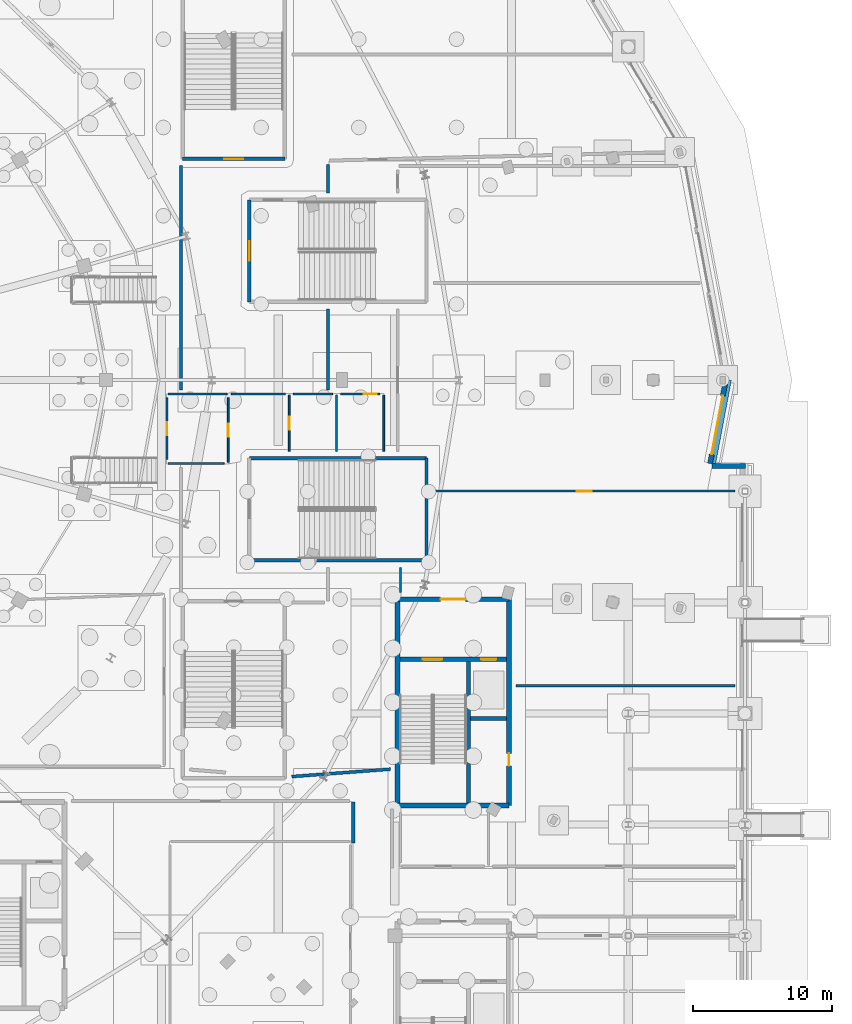
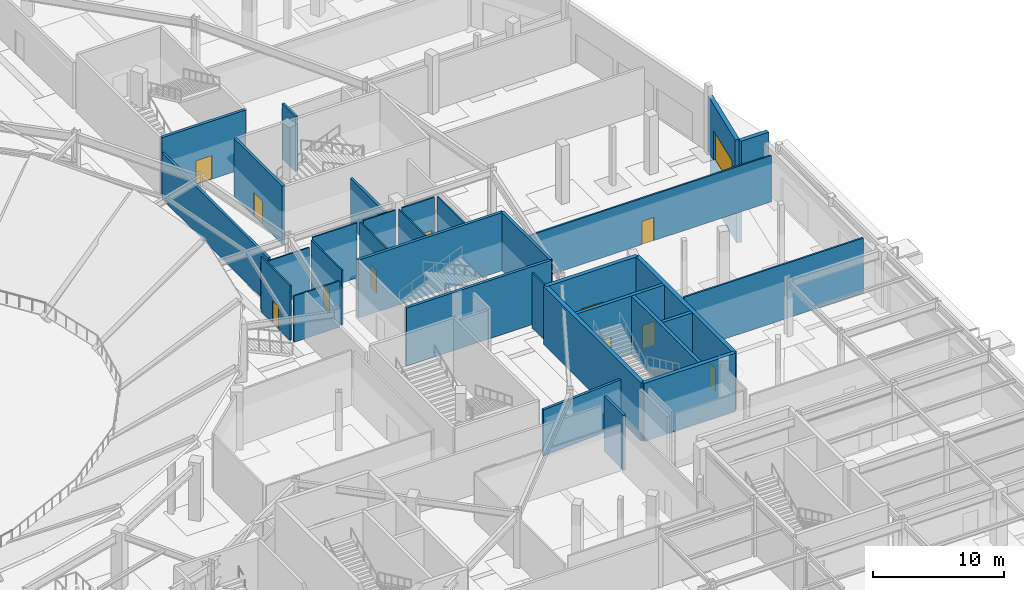
# One storey, part 62 of 93: 33 walls, 12 doors, 12 openings.
"""IFC4 building model written with IfcOpenShell, lengths in metres."""

from ifc_helpers import new_model, si_unit, direction, frame, frame_2d, origin, place, context, subcontext, project, spatial, rectangle, extrude, material, layer, layer_set, type_object, element, fill, save


model = new_model("IFC4")

# Units and contexts
model_context = context("Model", 3, precision=1e-05, world=origin(), true_north=direction((0.0, 1.0)))
body_context = subcontext(model_context, "Body", "Model", "MODEL_VIEW")
ifc_project = project(units=[si_unit("LENGTHUNIT", "METRE"), si_unit("AREAUNIT", "SQUARE_METRE"), si_unit("VOLUMEUNIT", "CUBIC_METRE"), si_unit("PLANEANGLEUNIT", "RADIAN"), si_unit("MASSUNIT", "GRAM", prefix="KILO")], contexts=[model_context])

# Site, building, storey
site_placement = place(None, origin())
site = spatial("IfcSite", under=ifc_project, at=site_placement, CompositionType="ELEMENT")
building_placement = place(site_placement, origin())
building = spatial("IfcBuilding", under=site, at=building_placement, Name="Kalgoora Escarpment Arena", CompositionType="ELEMENT")
storey_placement = place(building_placement, origin())
storey = spatial("IfcBuildingStorey", under=building, at=storey_placement, Name="L00", CompositionType="ELEMENT", Elevation=0.0)

# Walls
ifc_material_1 = material(Name="Impact-resistant athlete corridor partition", Category="gypsum")
ifc_layer_1 = layer(ifc_material_1, 0.155029296875)
ifc_layer_set_1 = layer_set([ifc_layer_1], Name="WAL-BOH-155")
wall_type_1 = type_object("IfcWallType", Name="WAL-BOH-155", PredefinedType="PARTITIONING", material=ifc_layer_set_1)
wall_1_placement = place(storey_placement, frame((168.324951171875, 42.0, 0.0), z_axis=(0.0, 0.0, 1.0), x_axis=(1.0, 0.0, 0.0)))
element("IfcWall", 1, at=wall_1_placement, inside=storey, type_object=wall_type_1, Name="L00 Strength Conditioning Gym 2 partition wall", PredefinedType="PARTITIONING", context=body_context, shape_type="SweptSolid", body=[
    extrude(rectangle(XDim=15.76513671875, YDim=0.155029296875, at=frame_2d((7.882568359375, 0.0))), origin(), (0.0, 0.0, 1.0), 5.1201171875),
])
ifc_material_2 = material(Name="Concrete N50 (fc' 50 MPa)", Category="concrete")
ifc_layer_2 = layer(ifc_material_2, 0.35009765625)
ifc_layer_set_2 = layer_set([ifc_layer_2], Name="WAL-CORE-350")
wall_type_2 = type_object("IfcWallType", Name="WAL-CORE-350", PredefinedType="SHEAR", material=ifc_layer_set_2)
wall_2_placement = place(storey_placement, frame((159.77490234375, 33.375, 0.0), z_axis=(0.0, 0.0, 1.0), x_axis=(1.0, 0.0, 0.0)))
element("IfcWall", 2, at=wall_2_placement, inside=storey, type_object=wall_type_2, Name="Core C7 L00 south shear wall", PredefinedType="SHEAR", context=body_context, shape_type="SweptSolid", body=[
    extrude(rectangle(XDim=8.050048828125, YDim=0.35009765625, at=frame_2d((4.02490234375, 0.0))), origin(), (0.0, 0.0, 1.0), 5.39990234375),
])

# Wall, opening, door
wall_3_placement = place(storey_placement, frame((159.77490234375, 48.22509765625, 0.0), z_axis=(0.0, 0.0, 1.0), x_axis=(1.0, 0.0, 0.0)))
wall_3 = element("IfcWall", 3, at=wall_3_placement, inside=storey, type_object=wall_type_2, Name="Core C7 L00 north lobby wall", PredefinedType="SHEAR", context=body_context, shape_type="SweptSolid", body=[
    extrude(rectangle(XDim=8.050048828125, YDim=0.35009765625, at=frame_2d((4.02490234375, 0.0))), origin(), (0.0, 0.0, 1.0), 5.39990234375),
])
opening_1_placement = place(wall_3_placement, frame((3.125, 0.0, 0.0)))
opening_1 = element("IfcOpeningElement", 4, at=opening_1_placement, cuts=wall_3, Name="Opening FD-C7L", PredefinedType="OPENING", context=body_context, shape_type="SweptSolid", body=[
    extrude(rectangle(XDim=1.800048828125, YDim=2.25, at=frame_2d((0.89990234375, 1.125))), frame((0.0, 0.18505859375, 0.0), z_axis=(0.0, -1.0, 0.0), x_axis=(1.0, 0.0, 0.0)), (0.0, 0.0, 1.0), 0.3701171875),
])
ifc_material_3 = material(Name="Double fire-rated smoke-seal lobby door")
door_type_1 = type_object("IfcDoorType", Name="DR-LOBBY-1800", OperationType="NOTDEFINED", PredefinedType="DOOR", material=ifc_material_3)
door_1_placement = place(opening_1_placement, origin())
door_1 = element("IfcDoor", 5, at=door_1_placement, inside=storey, type_object=door_type_1, Name="Core C7 L00 smoke-lobby fire door", OperationType="DOUBLE_DOOR_SINGLE_SWING", OverallHeight=2.25, OverallWidth=1.800048828125, PredefinedType="DOOR", context=body_context, shape_type="SweptSolid", body=[
    extrude(rectangle(XDim=1.800048828125, YDim=2.25, at=frame_2d((0.89990234375, 1.125))), frame((0.0, 0.02490234375, 0.0), z_axis=(0.0, -1.0, 0.0), x_axis=(1.0, 0.0, 0.0)), (0.0, 0.0, 1.0), 0.050048828125),
])
fill(opening_1, door_1)

# Wall
wall_4_placement = place(storey_placement, frame((159.77490234375, 33.375, 0.0), z_axis=(0.0, 0.0, 1.0), x_axis=(0.0, 1.0, 0.0)))
element("IfcWall", 6, at=wall_4_placement, inside=storey, type_object=wall_type_2, Name="Core C7 L00 west shear wall", PredefinedType="SHEAR", context=body_context, shape_type="SweptSolid", body=[
    extrude(rectangle(XDim=14.85009765625, YDim=0.35009765625, at=frame_2d((7.425048828125, 0.0))), origin(), (0.0, 0.0, 1.0), 5.39990234375),
])

# Wall, opening, door
wall_5_placement = place(storey_placement, frame((167.824951171875, 33.375, 0.0), z_axis=(0.0, 0.0, 1.0), x_axis=(0.0, 1.0, 0.0)))
wall_5 = element("IfcWall", 7, at=wall_5_placement, inside=storey, type_object=wall_type_2, Name="Core C7 L00 east shear wall", PredefinedType="SHEAR", context=body_context, shape_type="SweptSolid", body=[
    extrude(rectangle(XDim=14.85009765625, YDim=0.35009765625, at=frame_2d((7.425048828125, 0.0))), origin(), (0.0, 0.0, 1.0), 5.39990234375),
])
opening_2_placement = place(wall_5_placement, frame((2.85498046875, 0.0, 0.0)))
opening_2 = element("IfcOpeningElement", 8, at=opening_2_placement, cuts=wall_5, Name="Opening FD-C7R", PredefinedType="OPENING", context=body_context, shape_type="SweptSolid", body=[
    extrude(rectangle(XDim=0.89990234375, YDim=2.10009765625, at=frame_2d((0.449951171875, 1.050048828125))), frame((0.0, 0.18505859375, 0.0), z_axis=(0.0, -1.0, 0.0), x_axis=(1.0, 0.0, 0.0)), (0.0, 0.0, 1.0), 0.3701171875),
])
ifc_material_4 = material(Name="Fire-rated steel riser access door", Category="steel")
door_type_2 = type_object("IfcDoorType", Name="DR-RISER-0900", OperationType="NOTDEFINED", PredefinedType="DOOR", material=ifc_material_4)
door_2_placement = place(opening_2_placement, origin())
door_2 = element("IfcDoor", 9, at=door_2_placement, inside=storey, type_object=door_type_2, Name="Core C7 L00 riser cupboard access door", OperationType="SINGLE_SWING_RIGHT", OverallHeight=2.10009765625, OverallWidth=0.89990234375, PredefinedType="DOOR", context=body_context, shape_type="SweptSolid", body=[
    extrude(rectangle(XDim=0.89990234375, YDim=2.10009765625, at=frame_2d((0.449951171875, 1.050048828125))), frame((0.0, 0.02490234375, 0.0), z_axis=(0.0, -1.0, 0.0), x_axis=(1.0, 0.0, 0.0)), (0.0, 0.0, 1.0), 0.050048828125),
])
fill(opening_2, door_2)

ifc_material_5 = material(Name="Cream limestone-faced precast concrete 40 MPa", Category="masonry")
ifc_layer_3 = layer(ifc_material_5, 0.360107421875)
ifc_layer_set_3 = layer_set([ifc_layer_3], Name="WAL-EXT-360")
wall_type_3 = type_object("IfcWallType", Name="WAL-EXT-360", PredefinedType="SOLIDWALL", material=ifc_layer_set_3)
wall_6_placement = place(storey_placement, frame((183.43115234375, 64.07568359375, 0.0), z_axis=(0.0, 0.0, 1.0), x_axis=(-0.184964598757, -0.98274518427, 0.0)))
wall_6 = element("IfcWall", 10, at=wall_6_placement, inside=storey, type_object=wall_type_3, Name="L00 limestone-faced external wall 023", PredefinedType="SOLIDWALL", context=body_context, shape_type="SweptSolid", body=[
    extrude(rectangle(XDim=6.19189453125, YDim=0.360107421875, at=frame_2d((3.095947265625, 0.0))), origin(), (0.0, 0.0, 1.0), 5.159912109375),
])
opening_3_placement = place(wall_6_placement, frame((1.219970703125, 0.0, 0.0)))
opening_3 = element("IfcOpeningElement", 11, at=opening_3_placement, cuts=wall_6, Name="Opening G46", PredefinedType="OPENING", context=body_context, shape_type="SweptSolid", body=[
    extrude(rectangle(XDim=4.300048828125, YDim=2.75, at=frame_2d((2.14990234375, 1.375))), frame((0.0, 0.18994140625, 0.0), z_axis=(0.0, -1.0, 0.0), x_axis=(1.0, 0.0, 0.0)), (0.0, 0.0, 1.0), 0.380126953125),
])
ifc_material_6 = material(Name="Champagne anodised aluminium acoustic egress leaf", Category="aluminium")
door_type_3 = type_object("IfcDoorType", Name="DR-EGEXIT-2800", OperationType="NOTDEFINED", PredefinedType="DOOR", material=ifc_material_6)
door_3_placement = place(opening_3_placement, origin())
door_3 = element("IfcDoor", 12, at=door_3_placement, inside=storey, type_object=door_type_3, Name="Final pedestrian exit door G46", OperationType="DOUBLE_DOOR_SINGLE_SWING", OverallHeight=2.75, OverallWidth=4.300048828125, PredefinedType="DOOR", context=body_context, shape_type="SweptSolid", body=[
    extrude(rectangle(XDim=4.300048828125, YDim=2.75, at=frame_2d((2.14990234375, 1.375))), frame((0.0, 0.02490234375, 0.0), z_axis=(0.0, -1.0, 0.0), x_axis=(1.0, 0.0, 0.0)), (0.0, 0.0, 1.0), 0.050048828125),
])
fill(opening_3, door_3)

# Walls
wall_7_placement = place(storey_placement, frame((182.427490234375, 57.820068359375, 0.0), z_axis=(0.0, 0.0, 1.0), x_axis=(1.0, 0.0, 0.0)))
element("IfcWall", 13, at=wall_7_placement, inside=storey, type_object=wall_type_3, Name="L00 limestone-faced external wall 024", PredefinedType="SOLIDWALL", context=body_context, shape_type="SweptSolid", body=[
    extrude(rectangle(XDim=2.415771484375, YDim=0.360107421875, at=frame_2d((1.2080078125, 0.0))), origin(), (0.0, 0.0, 1.0), 5.159912109375),
])
ifc_material_7 = material(Name="Autoclaved aerated blockwork Concrete N40 (fc' 40 MPa)", Category="masonry")
ifc_layer_4 = layer(ifc_material_7, 0.219970703125)
ifc_layer_set_4 = layer_set([ifc_layer_4], Name="WAL-FIRE-220")
wall_type_4 = type_object("IfcWallType", Name="WAL-FIRE-220", PredefinedType="SOLIDWALL", material=ifc_layer_set_4)
wall_8_placement = place(storey_placement, frame((144.199951171875, 63.300048828125, 0.0), z_axis=(0.0, 0.0, 1.0), x_axis=(0.0, 1.0, 0.0)))
element("IfcWall", 14, at=wall_8_placement, inside=storey, type_object=wall_type_4, Name="L00 North-East Protected Exit Passageway partition wall", PredefinedType="SOLIDWALL", context=body_context, shape_type="SweptSolid", body=[
    extrude(rectangle(XDim=16.14404296875, YDim=0.219970703125, at=frame_2d((8.072021484375, 0.0))), origin(), (0.0, 0.0, 1.0), 4.294921875),
])
wall_9_placement = place(storey_placement, frame((154.800048828125, 79.51708984375, 0.0), z_axis=(0.0, 0.0, 1.0), x_axis=(0.0, -1.0, 0.0)))
element("IfcWall", 15, at=wall_9_placement, inside=storey, type_object=wall_type_4, Name="L00 North-East Protected Exit Passageway partition wall", PredefinedType="SOLIDWALL", context=body_context, shape_type="SweptSolid", body=[
    extrude(rectangle(XDim=2.0419921875, YDim=0.219970703125, at=frame_2d((1.02099609375, 0.0))), origin(), (0.0, 0.0, 1.0), 5.1201171875),
])
wall_10_placement = place(storey_placement, frame((154.800048828125, 69.125, 0.0), z_axis=(0.0, 0.0, 1.0), x_axis=(0.0, -1.0, 0.0)))
element("IfcWall", 16, at=wall_10_placement, inside=storey, type_object=wall_type_4, Name="L00 North-East Protected Exit Passageway partition wall", PredefinedType="SOLIDWALL", context=body_context, shape_type="SweptSolid", body=[
    extrude(rectangle(XDim=5.824951171875, YDim=0.219970703125, at=frame_2d((2.91259765625, 0.0))), origin(), (0.0, 0.0, 1.0), 4.48291015625),
])
wall_11_placement = place(storey_placement, frame((156.60009765625, 30.686279296875, 0.0), z_axis=(0.0, 0.0, 1.0), x_axis=(0.0, 1.0, 0.0)))
element("IfcWall", 17, at=wall_11_placement, inside=storey, type_object=wall_type_4, Name="L00 East Protected Exit Passageway partition wall", PredefinedType="SOLIDWALL", context=body_context, shape_type="SweptSolid", body=[
    extrude(rectangle(XDim=2.933837890625, YDim=0.219970703125, at=frame_2d((1.466796875, 0.0))), origin(), (0.0, 0.0, 1.0), 5.1201171875),
])
wall_12_placement = place(storey_placement, frame((152.1748046875, 35.456787109375, 0.0), z_axis=(0.0, 0.0, 1.0), x_axis=(0.997187086026, 0.074952754876, 0.0)))
element("IfcWall", 18, at=wall_12_placement, inside=storey, type_object=wall_type_4, Name="L00 East Protected Exit Passageway partition wall", PredefinedType="SOLIDWALL", context=body_context, shape_type="SweptSolid", body=[
    extrude(rectangle(XDim=7.120361328125, YDim=0.219970703125, at=frame_2d((3.56005859375, 0.0))), origin(), (0.0, 0.0, 1.0), 4.294921875),
])
ifc_material_8 = material(Name="Concrete N40 (fc' 40 MPa)", Category="concrete")
ifc_layer_5 = layer(ifc_material_8, 0.43994140625)
ifc_layer_set_5 = layer_set([ifc_layer_5], Name="WAL-RET-440")
wall_type_5 = type_object("IfcWallType", Name="WAL-RET-440", PredefinedType="USERDEFINED", material=ifc_layer_set_5)
wall_13_placement = place(storey_placement, frame((183.60009765625, 64.0, -4.5), z_axis=(0.0, 0.0, 1.0), x_axis=(-0.184983824946, -0.982741565473, 0.0)))
element("IfcWall", 19, at=wall_13_placement, inside=storey, type_object=wall_type_5, Name="Escarpment stepped limestone plinth retaining wall 21", ObjectType="RETAININGWALL", PredefinedType="USERDEFINED", context=body_context, shape_type="SweptSolid", body=[
    extrude(rectangle(XDim=6.10546875, YDim=0.43994140625, at=frame_2d((3.052734375, 0.0))), origin(), (0.0, 0.0, 1.0), 4.5),
])
ifc_material_9 = material(Name="Insulated steel-stud acoustic partition", Category="steel")
ifc_layer_6 = layer(ifc_material_9, 0.14501953125)
ifc_layer_set_6 = layer_set([ifc_layer_6], Name="WAL-ROOM-145")
wall_type_6 = type_object("IfcWallType", Name="WAL-ROOM-145", PredefinedType="PARTITIONING", material=ifc_layer_set_6)
wall_14_placement = place(storey_placement, frame((160.0, 48.72509765625, 0.0), z_axis=(0.0, 0.0, 1.0), x_axis=(0.0, 1.0, 0.0)))
element("IfcWall", 20, at=wall_14_placement, inside=storey, type_object=wall_type_6, Name="L00 Sports Physiotherapy Suite partition wall", PredefinedType="PARTITIONING", context=body_context, shape_type="SweptSolid", body=[
    extrude(rectangle(XDim=1.7998046875, YDim=0.14501953125, at=frame_2d((0.89990234375, 0.0))), origin(), (0.0, 0.0, 1.0), 5.1201171875),
])

# Wall, opening, door
wall_15_placement = place(storey_placement, frame((162.375, 56.0, 0.0), z_axis=(0.0, 0.0, 1.0), x_axis=(1.0, 0.0, 0.0)))
wall_15 = element("IfcWall", 21, at=wall_15_placement, inside=storey, type_object=wall_type_6, Name="L00 Sports Physiotherapy Suite partition wall", PredefinedType="PARTITIONING", context=body_context, shape_type="SweptSolid", body=[
    extrude(rectangle(XDim=21.715087890625, YDim=0.14501953125, at=frame_2d((10.857421875, 0.0))), origin(), (0.0, 0.0, 1.0), 4.294921875),
])
opening_4_placement = place(wall_15_placement, frame((10.3173828125, 0.0, 0.0)))
opening_4 = element("IfcOpeningElement", 22, at=opening_4_placement, cuts=wall_15, Name="Opening FD-I017", PredefinedType="OPENING", context=body_context, shape_type="SweptSolid", body=[
    extrude(rectangle(XDim=1.080078125, YDim=2.14990234375, at=frame_2d((0.5400390625, 1.074951171875))), frame((0.0, 0.08251953125, 0.0), z_axis=(0.0, -1.0, 0.0), x_axis=(1.0, 0.0, 0.0)), (0.0, 0.0, 1.0), 0.1650390625),
])
ifc_material_10 = material(Name="Solid-core acoustic timber door", Category="wood")
door_type_4 = type_object("IfcDoorType", Name="DR-GEN-1080", OperationType="NOTDEFINED", PredefinedType="DOOR", material=ifc_material_10)
door_4_placement = place(opening_4_placement, origin())
door_4 = element("IfcDoor", 23, at=door_4_placement, inside=storey, type_object=door_type_4, Name="Sports Physiotherapy Suite entrance door", OperationType="SINGLE_SWING_RIGHT", OverallHeight=2.14990234375, OverallWidth=1.080078125, PredefinedType="DOOR", context=body_context, shape_type="SweptSolid", body=[
    extrude(rectangle(XDim=1.080078125, YDim=2.14990234375, at=frame_2d((0.5400390625, 1.074951171875))), frame((0.0, 0.02490234375, 0.0), z_axis=(0.0, -1.0, 0.0), x_axis=(1.0, 0.0, 0.0)), (0.0, 0.0, 1.0), 0.050048828125),
])
fill(opening_4, door_4)

# Wall, openings, doors
ifc_material_11 = material(Name="Concrete N50 (fc' 50 MPa)", Category="concrete")
ifc_layer_7 = layer(ifc_material_11, 0.300048828125)
ifc_layer_set_7 = layer_set([ifc_layer_7], Name="WAL-SHAFT-300")
wall_type_7 = type_object("IfcWallType", Name="WAL-SHAFT-300", PredefinedType="SHEAR", material=ifc_layer_set_7)
wall_16_placement = place(storey_placement, frame((159.949951171875, 43.89990234375, 0.0), z_axis=(0.0, 0.0, 1.0), x_axis=(1.0, 0.0, 0.0)))
wall_16 = element("IfcWall", 24, at=wall_16_placement, inside=storey, type_object=wall_type_7, Name="Core C7 L00 lobby shaft wall", PredefinedType="SHEAR", context=body_context, shape_type="SweptSolid", body=[
    extrude(rectangle(XDim=7.699951171875, YDim=0.300048828125, at=frame_2d((3.85009765625, 0.0))), origin(), (0.0, 0.0, 1.0), 5.39990234375),
])
opening_5_placement = place(wall_16_placement, frame((1.64990234375, 0.0, 0.0)))
opening_5 = element("IfcOpeningElement", 25, at=opening_5_placement, cuts=wall_16, Name="Opening FD-ST07", PredefinedType="OPENING", context=body_context, shape_type="SweptSolid", body=[
    extrude(rectangle(XDim=1.39990234375, YDim=2.199951171875, at=frame_2d((0.699951171875, 1.10009765625))), frame((0.0, 0.159912109375, 0.0), z_axis=(0.0, -1.0, 0.0), x_axis=(1.0, 0.0, 0.0)), (0.0, 0.0, 1.0), 0.320068359375),
])
opening_6_placement = place(wall_16_placement, frame((5.85009765625, 0.0, 0.0)))
opening_6 = element("IfcOpeningElement", 26, at=opening_6_placement, cuts=wall_16, Name="Opening LD-GL1", PredefinedType="OPENING", context=body_context, shape_type="SweptSolid", body=[
    extrude(rectangle(XDim=1.10009765625, YDim=2.199951171875, at=frame_2d((0.550048828125, 1.10009765625))), frame((0.0, 0.159912109375, 0.0), z_axis=(0.0, -1.0, 0.0), x_axis=(1.0, 0.0, 0.0)), (0.0, 0.0, 1.0), 0.320068359375),
])
ifc_material_12 = material(Name="Brushed stainless steel sliding lift landing door", Category="steel")
door_type_5 = type_object("IfcDoorType", Name="DR-LD-GL1", OperationType="SLIDING_TO_LEFT", PredefinedType="DOOR", material=ifc_material_12)
door_5_placement = place(opening_6_placement, origin())
door_5 = element("IfcDoor", 27, at=door_5_placement, inside=storey, type_object=door_type_5, Name="Lift GL1 L00 sliding landing door", OperationType="SLIDING_TO_LEFT", OverallHeight=2.199951171875, OverallWidth=1.10009765625, PredefinedType="DOOR", context=body_context, shape_type="SweptSolid", body=[
    extrude(rectangle(XDim=1.10009765625, YDim=2.199951171875, at=frame_2d((0.550048828125, 1.10009765625))), frame((0.0, 0.02490234375, 0.0), z_axis=(0.0, -1.0, 0.0), x_axis=(1.0, 0.0, 0.0)), (0.0, 0.0, 1.0), 0.050048828125),
])
fill(opening_6, door_5)
ifc_material_13 = material(Name="Fire-rated steel stair leaf with vision panel", Category="steel")
door_type_6 = type_object("IfcDoorType", Name="DR-STAIR-1400", OperationType="NOTDEFINED", PredefinedType="DOOR", material=ifc_material_13)
door_6_placement = place(opening_5_placement, origin())
door_6 = element("IfcDoor", 28, at=door_6_placement, inside=storey, type_object=door_type_6, Name="Fire stair ST07 L00 fire door", OperationType="SINGLE_SWING_LEFT", OverallHeight=2.199951171875, OverallWidth=1.39990234375, PredefinedType="DOOR", context=body_context, shape_type="SweptSolid", body=[
    extrude(rectangle(XDim=1.39990234375, YDim=2.199951171875, at=frame_2d((0.699951171875, 1.10009765625))), frame((0.0, 0.02490234375, 0.0), z_axis=(0.0, -1.0, 0.0), x_axis=(1.0, 0.0, 0.0)), (0.0, 0.0, 1.0), 0.050048828125),
])
fill(opening_5, door_6)

# Walls
wall_17_placement = place(storey_placement, frame((164.89990234375, 33.550048828125, 0.0), z_axis=(0.0, 0.0, 1.0), x_axis=(0.0, 1.0, 0.0)))
element("IfcWall", 29, at=wall_17_placement, inside=storey, type_object=wall_type_7, Name="Core C7 L00 stair-lift spine wall", PredefinedType="SHEAR", context=body_context, shape_type="SweptSolid", body=[
    extrude(rectangle(XDim=10.349853515625, YDim=0.300048828125, at=frame_2d((5.1748046875, 0.0))), origin(), (0.0, 0.0, 1.0), 5.39990234375),
])
wall_18_placement = place(storey_placement, frame((165.050048828125, 39.64990234375, 0.0), z_axis=(0.0, 0.0, 1.0), x_axis=(1.0, 0.0, 0.0)))
element("IfcWall", 30, at=wall_18_placement, inside=storey, type_object=wall_type_7, Name="Core C7 L00 lift-riser divider wall", PredefinedType="SHEAR", context=body_context, shape_type="SweptSolid", body=[
    extrude(rectangle(XDim=2.599853515625, YDim=0.300048828125, at=frame_2d((1.2998046875, 0.0))), origin(), (0.0, 0.0, 1.0), 5.39990234375),
])

# Wall, opening, door
ifc_material_14 = material(Name="Concrete N50 (fc' 50 MPa)", Category="concrete")
ifc_layer_8 = layer(ifc_material_14, 0.25)
ifc_layer_set_8 = layer_set([ifc_layer_8], Name="WAL-STAIR-250")
wall_type_8 = type_object("IfcWallType", Name="WAL-STAIR-250", PredefinedType="SHEAR", material=ifc_layer_set_8)
wall_19_placement = place(storey_placement, frame((149.125, 69.625, 0.0), z_axis=(0.0, 0.0, 1.0), x_axis=(0.0, 1.0, 0.0)))
wall_19 = element("IfcWall", 31, at=wall_19_placement, inside=storey, type_object=wall_type_8, Name="Exit stair ST21 L00 west wall", PredefinedType="SHEAR", context=body_context, shape_type="SweptSolid", body=[
    extrude(rectangle(XDim=7.35009765625, YDim=0.25, at=frame_2d((3.675048828125, 0.0))), origin(), (0.0, 0.0, 1.0), 5.39990234375),
])
opening_7_placement = place(wall_19_placement, frame((2.97509765625, 0.0, 0.0)))
opening_7 = element("IfcOpeningElement", 32, at=opening_7_placement, cuts=wall_19, Name="Opening FD-ST21", PredefinedType="OPENING", context=body_context, shape_type="SweptSolid", body=[
    extrude(rectangle(XDim=1.39990234375, YDim=2.199951171875, at=frame_2d((0.699951171875, 1.10009765625))), frame((0.0, 0.135009765625, 0.0), z_axis=(0.0, -1.0, 0.0), x_axis=(1.0, 0.0, 0.0)), (0.0, 0.0, 1.0), 0.27001953125),
])
door_7_placement = place(opening_7_placement, origin())
door_7 = element("IfcDoor", 33, at=door_7_placement, inside=storey, type_object=door_type_6, Name="Fire-isolated stair ST21 L00 egress door", OperationType="SINGLE_SWING_RIGHT", OverallHeight=2.199951171875, OverallWidth=1.39990234375, PredefinedType="DOOR", context=body_context, shape_type="SweptSolid", body=[
    extrude(rectangle(XDim=1.39990234375, YDim=2.199951171875, at=frame_2d((0.699951171875, 1.10009765625))), frame((0.0, 0.02490234375, 0.0), z_axis=(0.0, -1.0, 0.0), x_axis=(1.0, 0.0, 0.0)), (0.0, 0.0, 1.0), 0.050048828125),
])
fill(opening_7, door_7)

# Walls
for number, where, z_axis, x_axis, name in (
    (34, (149.125, 51.02490234375, 0.0), (0.0, 0.0, 1.0), (1.0, 0.0, 0.0), "Exit stair ST22 L00 south wall"),
    (35, (149.125, 58.375, 0.0), (0.0, 0.0, 1.0), (1.0, 0.0, 0.0), "Exit stair ST22 L00 north wall"),
):
    element("IfcWall", number, at=place(storey_placement, frame(where, z_axis=z_axis, x_axis=x_axis)), inside=storey, type_object=wall_type_8, Name=name, PredefinedType="SHEAR", context=body_context, shape_type="SweptSolid", body=[
        extrude(rectangle(XDim=12.75, YDim=0.25, at=frame_2d((6.375, 0.0))), origin(), (0.0, 0.0, 1.0), 5.39990234375),
    ])
wall_20_placement = place(storey_placement, frame((161.875, 51.02490234375, 0.0), z_axis=(0.0, 0.0, 1.0), x_axis=(0.0, 1.0, 0.0)))
element("IfcWall", 36, at=wall_20_placement, inside=storey, type_object=wall_type_8, Name="Exit stair ST22 L00 east wall", PredefinedType="SHEAR", context=body_context, shape_type="SweptSolid", body=[
    extrude(rectangle(XDim=7.35009765625, YDim=0.25, at=frame_2d((3.675048828125, 0.0))), origin(), (0.0, 0.0, 1.0), 5.39990234375),
])

# Wall, opening, door
wall_21_placement = place(storey_placement, frame((144.324951171875, 79.925048828125, 0.0), z_axis=(0.0, 0.0, 1.0), x_axis=(1.0, 0.0, 0.0)))
wall_21 = element("IfcWall", 37, at=wall_21_placement, inside=storey, type_object=wall_type_8, Name="Exit stair ST23 L00 south wall", PredefinedType="SHEAR", context=body_context, shape_type="SweptSolid", body=[
    extrude(rectangle(XDim=7.35009765625, YDim=0.25, at=frame_2d((3.675048828125, 0.0))), origin(), (0.0, 0.0, 1.0), 5.39990234375),
])
opening_8_placement = place(wall_21_placement, frame((2.97509765625, 0.0, 0.0)))
opening_8 = element("IfcOpeningElement", 38, at=opening_8_placement, cuts=wall_21, Name="Opening FD-ST23", PredefinedType="OPENING", context=body_context, shape_type="SweptSolid", body=[
    extrude(rectangle(XDim=1.39990234375, YDim=2.199951171875, at=frame_2d((0.699951171875, 1.10009765625))), frame((0.0, 0.135009765625, 0.0), z_axis=(0.0, -1.0, 0.0), x_axis=(1.0, 0.0, 0.0)), (0.0, 0.0, 1.0), 0.27001953125),
])
door_8_placement = place(opening_8_placement, origin())
door_8 = element("IfcDoor", 39, at=door_8_placement, inside=storey, type_object=door_type_6, Name="Fire-isolated stair ST23 L00 egress door", OperationType="SINGLE_SWING_LEFT", OverallHeight=2.199951171875, OverallWidth=1.39990234375, PredefinedType="DOOR", context=body_context, shape_type="SweptSolid", body=[
    extrude(rectangle(XDim=1.39990234375, YDim=2.199951171875, at=frame_2d((0.699951171875, 1.10009765625))), frame((0.0, 0.02490234375, 0.0), z_axis=(0.0, -1.0, 0.0), x_axis=(1.0, 0.0, 0.0)), (0.0, 0.0, 1.0), 0.050048828125),
])
fill(opening_8, door_8)

# Wall
ifc_material_15 = material(Name="Moisture-resistant wet-area partition", Category="gypsum")
ifc_layer_9 = layer(ifc_material_15, 0.125)
ifc_layer_set_9 = layer_set([ifc_layer_9], Name="WAL-WC-125")
wall_type_9 = type_object("IfcWallType", Name="WAL-WC-125", PredefinedType="PARTITIONING", material=ifc_layer_set_9)
wall_22_placement = place(storey_placement, frame((143.280029296875, 63.0, 0.0), z_axis=(0.0, 0.0, 1.0), x_axis=(1.0, 0.0, 0.0)))
element("IfcWall", 40, at=wall_22_placement, inside=storey, type_object=wall_type_9, Name="L00 Male WC 2 partition wall", PredefinedType="PARTITIONING", context=body_context, shape_type="SweptSolid", body=[
    extrude(rectangle(XDim=4.239990234375, YDim=0.125, at=frame_2d((2.1201171875, 0.0))), origin(), (0.0, 0.0, 1.0), 4.294921875),
])

# Wall, opening, door
wall_23_placement = place(storey_placement, frame((147.60009765625, 62.715087890625, 0.0), z_axis=(0.0, 0.0, 1.0), x_axis=(0.0, -1.0, 0.0)))
wall_23 = element("IfcWall", 41, at=wall_23_placement, inside=storey, type_object=wall_type_9, Name="L00 Male WC 2 partition wall", PredefinedType="PARTITIONING", context=body_context, shape_type="SweptSolid", body=[
    extrude(rectangle(XDim=4.635009765625, YDim=0.125, at=frame_2d((2.3173828125, 0.0))), origin(), (0.0, 0.0, 1.0), 5.1201171875),
])
opening_9_placement = place(wall_23_placement, frame((1.857666015625, 0.0, 0.0)))
opening_9 = element("IfcOpeningElement", 42, at=opening_9_placement, cuts=wall_23, Name="Opening D-I006", PredefinedType="OPENING", context=body_context, shape_type="SweptSolid", body=[
    extrude(rectangle(XDim=0.919921875, YDim=2.10009765625, at=frame_2d((0.4599609375, 1.050048828125))), frame((0.0, 0.072509765625, 0.0), z_axis=(0.0, -1.0, 0.0), x_axis=(1.0, 0.0, 0.0)), (0.0, 0.0, 1.0), 0.14501953125),
])
ifc_material_16 = material(Name="Moisture-resistant laminate WC door")
door_type_7 = type_object("IfcDoorType", Name="DR-WC-0920", OperationType="NOTDEFINED", PredefinedType="DOOR", material=ifc_material_16)
door_9_placement = place(opening_9_placement, origin())
door_9 = element("IfcDoor", 43, at=door_9_placement, inside=storey, type_object=door_type_7, Name="Female WC 2 entrance door", OperationType="SINGLE_SWING_LEFT", OverallHeight=2.10009765625, OverallWidth=0.919921875, PredefinedType="DOOR", context=body_context, shape_type="SweptSolid", body=[
    extrude(rectangle(XDim=0.919921875, YDim=2.10009765625, at=frame_2d((0.4599609375, 1.050048828125))), frame((0.0, 0.02490234375, 0.0), z_axis=(0.0, -1.0, 0.0), x_axis=(1.0, 0.0, 0.0)), (0.0, 0.0, 1.0), 0.050048828125),
])
fill(opening_9, door_9)

# Wall
wall_24_placement = place(storey_placement, frame((147.315185546875, 58.0, 0.0), z_axis=(0.0, 0.0, 1.0), x_axis=(-1.0, 0.0, 0.0)))
element("IfcWall", 44, at=wall_24_placement, inside=storey, type_object=wall_type_9, Name="L00 Male WC 2 partition wall", PredefinedType="PARTITIONING", context=body_context, shape_type="SweptSolid", body=[
    extrude(rectangle(XDim=4.03515625, YDim=0.125, at=frame_2d((2.017578125, 0.0))), origin(), (0.0, 0.0, 1.0), 4.294921875),
])

# Wall, opening, door
wall_25_placement = place(storey_placement, frame((143.199951171875, 58.284912109375, 0.0), z_axis=(0.0, 0.0, 1.0), x_axis=(0.0, 1.0, 0.0)))
wall_25 = element("IfcWall", 45, at=wall_25_placement, inside=storey, type_object=wall_type_9, Name="L00 Male WC 2 partition wall", PredefinedType="PARTITIONING", context=body_context, shape_type="SweptSolid", body=[
    extrude(rectangle(XDim=4.43017578125, YDim=0.125, at=frame_2d((2.215087890625, 0.0))), origin(), (0.0, 0.0, 1.0), 5.1201171875),
])
opening_10_placement = place(wall_25_placement, frame((1.740234375, 0.0, 0.0)))
opening_10 = element("IfcOpeningElement", 46, at=opening_10_placement, cuts=wall_25, Name="Opening D-I005", PredefinedType="OPENING", context=body_context, shape_type="SweptSolid", body=[
    extrude(rectangle(XDim=0.949951171875, YDim=2.10009765625, at=frame_2d((0.47509765625, 1.050048828125))), frame((0.0, 0.072509765625, 0.0), z_axis=(0.0, -1.0, 0.0), x_axis=(1.0, 0.0, 0.0)), (0.0, 0.0, 1.0), 0.14501953125),
])
ifc_material_17 = material(Name="Moisture-resistant laminate accessible WC door")
door_type_8 = type_object("IfcDoorType", Name="DR-WC-0950", OperationType="NOTDEFINED", PredefinedType="DOOR", material=ifc_material_17)
door_10_placement = place(opening_10_placement, origin())
door_10 = element("IfcDoor", 47, at=door_10_placement, inside=storey, type_object=door_type_8, Name="Male WC 2 entrance door", OperationType="SINGLE_SWING_RIGHT", OverallHeight=2.10009765625, OverallWidth=0.949951171875, PredefinedType="DOOR", context=body_context, shape_type="SweptSolid", body=[
    extrude(rectangle(XDim=0.949951171875, YDim=2.10009765625, at=frame_2d((0.47509765625, 1.050048828125))), frame((0.0, 0.02490234375, 0.0), z_axis=(0.0, -1.0, 0.0), x_axis=(1.0, 0.0, 0.0)), (0.0, 0.0, 1.0), 0.050048828125),
])
fill(opening_10, door_10)

wall_26_placement = place(storey_placement, frame((152.0, 62.919921875, 0.0), z_axis=(0.0, 0.0, 1.0), x_axis=(0.0, -1.0, 0.0)))
wall_26 = element("IfcWall", 48, at=wall_26_placement, inside=storey, type_object=wall_type_9, Name="L00 Female WC 2 partition wall", PredefinedType="PARTITIONING", context=body_context, shape_type="SweptSolid", body=[
    extrude(rectangle(XDim=4.044921875, YDim=0.125, at=frame_2d((2.0224609375, 0.0))), origin(), (0.0, 0.0, 1.0), 5.1201171875),
])
opening_11_placement = place(wall_26_placement, frame((1.547607421875, 0.0, 0.0)))
opening_11 = element("IfcOpeningElement", 49, at=opening_11_placement, cuts=wall_26, Name="Opening D-I007", PredefinedType="OPENING", context=body_context, shape_type="SweptSolid", body=[
    extrude(rectangle(XDim=0.949951171875, YDim=2.10009765625, at=frame_2d((0.47509765625, 1.050048828125))), frame((0.0, 0.072509765625, 0.0), z_axis=(0.0, -1.0, 0.0), x_axis=(1.0, 0.0, 0.0)), (0.0, 0.0, 1.0), 0.14501953125),
])
door_11_placement = place(opening_11_placement, origin())
door_11 = element("IfcDoor", 50, at=door_11_placement, inside=storey, type_object=door_type_8, Name="Accessible WC 2 entrance door", OperationType="SINGLE_SWING_RIGHT", OverallHeight=2.10009765625, OverallWidth=0.949951171875, PredefinedType="DOOR", context=body_context, shape_type="SweptSolid", body=[
    extrude(rectangle(XDim=0.949951171875, YDim=2.10009765625, at=frame_2d((0.47509765625, 1.050048828125))), frame((0.0, 0.02490234375, 0.0), z_axis=(0.0, -1.0, 0.0), x_axis=(1.0, 0.0, 0.0)), (0.0, 0.0, 1.0), 0.050048828125),
])
fill(opening_11, door_11)

# Walls
wall_27_placement = place(storey_placement, frame((147.820068359375, 63.0, 0.0), z_axis=(0.0, 0.0, 1.0), x_axis=(1.0, 0.0, 0.0)))
element("IfcWall", 51, at=wall_27_placement, inside=storey, type_object=wall_type_9, Name="L00 Female WC 2 partition wall", PredefinedType="PARTITIONING", context=body_context, shape_type="SweptSolid", body=[
    extrude(rectangle(XDim=3.89501953125, YDim=0.125, at=frame_2d((1.947509765625, 0.0))), origin(), (0.0, 0.0, 1.0), 5.1201171875),
])
wall_28_placement = place(storey_placement, frame((155.39990234375, 62.919921875, 0.0), z_axis=(0.0, 0.0, 1.0), x_axis=(0.0, -1.0, 0.0)))
element("IfcWall", 52, at=wall_28_placement, inside=storey, type_object=wall_type_9, Name="L00 Accessible WC 2 partition wall", PredefinedType="PARTITIONING", context=body_context, shape_type="SweptSolid", body=[
    extrude(rectangle(XDim=4.044921875, YDim=0.125, at=frame_2d((2.0224609375, 0.0))), origin(), (0.0, 0.0, 1.0), 5.1201171875),
])
wall_29_placement = place(storey_placement, frame((152.284912109375, 63.0, 0.0), z_axis=(0.0, 0.0, 1.0), x_axis=(1.0, 0.0, 0.0)))
element("IfcWall", 53, at=wall_29_placement, inside=storey, type_object=wall_type_9, Name="L00 Accessible WC 2 partition wall", PredefinedType="PARTITIONING", context=body_context, shape_type="SweptSolid", body=[
    extrude(rectangle(XDim=2.830322265625, YDim=0.125, at=frame_2d((1.4150390625, 0.0))), origin(), (0.0, 0.0, 1.0), 5.1201171875),
])
wall_30_placement = place(storey_placement, frame((158.800048828125, 62.919921875, 0.0), z_axis=(0.0, 0.0, 1.0), x_axis=(0.0, -1.0, 0.0)))
element("IfcWall", 54, at=wall_30_placement, inside=storey, type_object=wall_type_9, Name="L00 Staff WC 2 partition wall", PredefinedType="PARTITIONING", context=body_context, shape_type="SweptSolid", body=[
    extrude(rectangle(XDim=4.044921875, YDim=0.125, at=frame_2d((2.0224609375, 0.0))), origin(), (0.0, 0.0, 1.0), 5.1201171875),
])

# Wall, opening, door
wall_31_placement = place(storey_placement, frame((155.684814453125, 63.0, 0.0), z_axis=(0.0, 0.0, 1.0), x_axis=(1.0, 0.0, 0.0)))
wall_31 = element("IfcWall", 55, at=wall_31_placement, inside=storey, type_object=wall_type_9, Name="L00 Staff WC 2 partition wall", PredefinedType="PARTITIONING", context=body_context, shape_type="SweptSolid", body=[
    extrude(rectangle(XDim=2.830322265625, YDim=0.125, at=frame_2d((1.4150390625, 0.0))), origin(), (0.0, 0.0, 1.0), 5.1201171875),
])
opening_12_placement = place(wall_31_placement, frame((1.68115234375, 0.0, 0.0)))
opening_12 = element("IfcOpeningElement", 56, at=opening_12_placement, cuts=wall_31, Name="Opening D-I008", PredefinedType="OPENING", context=body_context, shape_type="SweptSolid", body=[
    extrude(rectangle(XDim=0.919921875, YDim=2.10009765625, at=frame_2d((0.4599609375, 1.050048828125))), frame((0.0, 0.072509765625, 0.0), z_axis=(0.0, -1.0, 0.0), x_axis=(1.0, 0.0, 0.0)), (0.0, 0.0, 1.0), 0.14501953125),
])
door_12_placement = place(opening_12_placement, origin())
door_12 = element("IfcDoor", 57, at=door_12_placement, inside=storey, type_object=door_type_7, Name="Staff WC 2 entrance door", OperationType="SINGLE_SWING_LEFT", OverallHeight=2.10009765625, OverallWidth=0.919921875, PredefinedType="DOOR", context=body_context, shape_type="SweptSolid", body=[
    extrude(rectangle(XDim=0.919921875, YDim=2.10009765625, at=frame_2d((0.4599609375, 1.050048828125))), frame((0.0, 0.02490234375, 0.0), z_axis=(0.0, -1.0, 0.0), x_axis=(1.0, 0.0, 0.0)), (0.0, 0.0, 1.0), 0.050048828125),
])
fill(opening_12, door_12)

save(model, "model.ifc")
